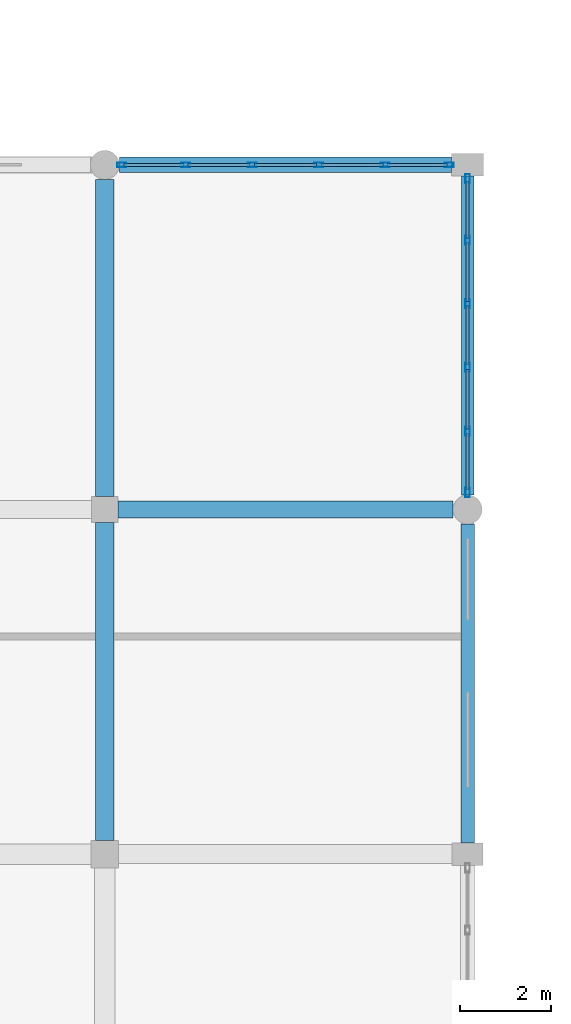
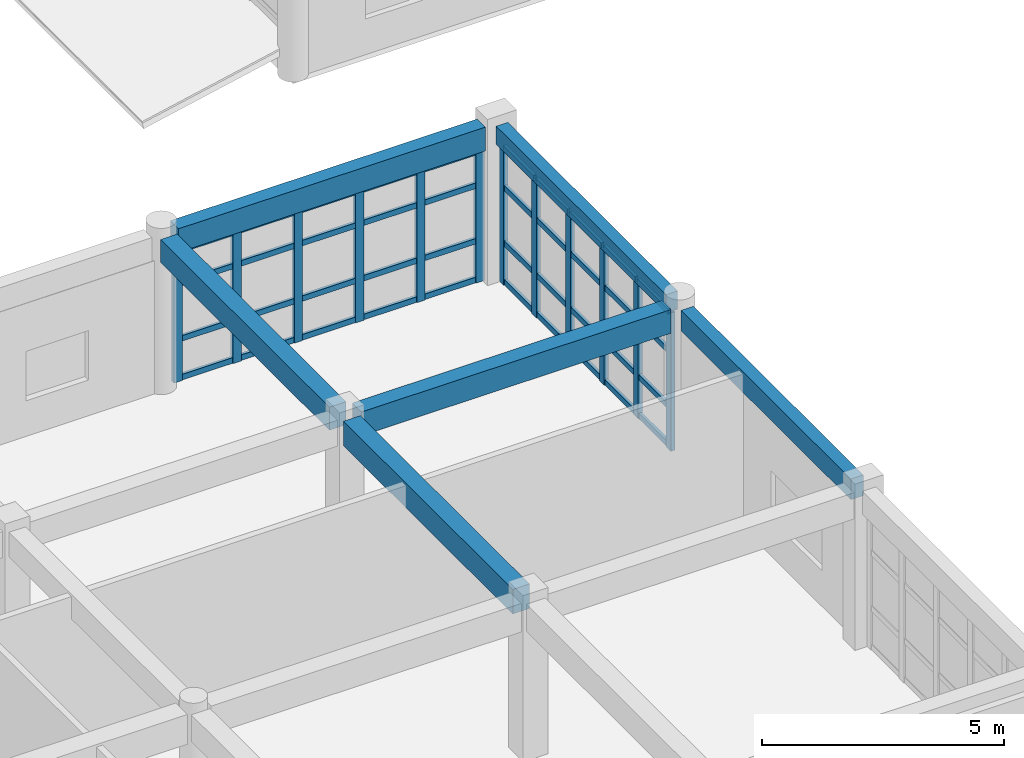
# One storey, part 68 of 121: 52 members, 6 beams, 2 elements without a shape of their own.
"""IFC4 building model written with IfcOpenShell, lengths in metres."""

from ifc_helpers import new_model, si_unit, direction, frame, origin, origin_2d, place, context, subcontext, project, spatial, rectangle, hollow_rectangle, extrude, material, material_profile, profile_set, type_object, element, aggregate, save


model = new_model("IFC4")

# Units and contexts
model_context = context("Model", 3, precision=1e-05, world=origin(), true_north=direction((0.0, 1.0)))
body_context = subcontext(model_context, "Body", "Model", "MODEL_VIEW")
ifc_project = project(units=[si_unit("LENGTHUNIT", "METRE"), si_unit("AREAUNIT", "SQUARE_METRE"), si_unit("VOLUMEUNIT", "CUBIC_METRE"), si_unit("PLANEANGLEUNIT", "RADIAN"), si_unit("MASSUNIT", "GRAM", prefix="KILO")], contexts=[model_context])

# Site, building, storey
site_placement = place(None, origin())
site = spatial("IfcSite", under=ifc_project, at=site_placement, CompositionType="ELEMENT")
building_placement = place(site_placement, origin())
building = spatial("IfcBuilding", under=site, at=building_placement, Name="Kharva Crest Polytechnic", CompositionType="ELEMENT")
storey_placement = place(building_placement, frame((0.0, 0.0, 13.199951171875)))
storey = spatial("IfcBuildingStorey", under=building, at=storey_placement, Name="L03", CompositionType="ELEMENT", Elevation=13.199951171875)

# Beams
ifc_material_1 = material(Name="Concrete C35/45", Category="concrete")
ifc_material_profile_1 = material_profile(ifc_material_1, rectangle(XDim=0.3798828125, YDim=0.60009765625, at=origin_2d()), Name="RECT 380 X 600")
ifc_profile_set_1 = profile_set([ifc_material_profile_1], Name="Concrete C35/45")
beam_type_1 = type_object("IfcBeamType", Name="BM-RC-380X600", PredefinedType="BEAM", material=ifc_profile_set_1)
beam_1_placement = place(storey_placement, frame((145.090087890625, 22.800048828125, 3.66015625), z_axis=(1.0, 0.0, 0.0), x_axis=(0.0, 1.0, 0.0)))
element("IfcBeam", 1, at=beam_1_placement, inside=storey, type_object=beam_type_1, Name="L03 Beam D/19-20", PredefinedType="BEAM", context=body_context, shape_type="SweptSolid", body=[
    extrude(rectangle(XDim=0.3798828125, YDim=0.60009765625, at=origin_2d()), origin(), (0.0, 0.0, 1.0), 7.389892578125),
])
ifc_material_profile_2 = material_profile(ifc_material_1, rectangle(XDim=0.39990234375, YDim=0.580078125, at=origin_2d()), Name="RECT 400 X 580")
ifc_profile_set_2 = profile_set([ifc_material_profile_2], Name="Concrete C35/45")
beam_type_2 = type_object("IfcBeamType", Name="BM-RC-400X580", PredefinedType="BEAM", material=ifc_profile_set_2)
beam_2_placement = place(storey_placement, frame((144.800048828125, 23.090087890625, 3.670166015625), z_axis=(0.0, 1.0, 0.0), x_axis=(-1.0, 0.0, 0.0)))
element("IfcBeam", 2, at=beam_2_placement, inside=storey, type_object=beam_type_2, Name="L03 Girder 19/D-E", PredefinedType="BEAM", context=body_context, shape_type="SweptSolid", body=[
    extrude(rectangle(XDim=0.39990234375, YDim=0.580078125, at=origin_2d()), origin(), (0.0, 0.0, 1.0), 6.989990234375),
])
ifc_material_profile_3 = material_profile(ifc_material_1, rectangle(XDim=0.39990234375, YDim=0.6201171875, at=origin_2d()), Name="RECT 400 X 620")
ifc_profile_set_3 = profile_set([ifc_material_profile_3], Name="Concrete C35/45")
beam_type_3 = type_object("IfcBeamType", Name="BM-RC-400X620", PredefinedType="BEAM", material=ifc_profile_set_3)
beam_3_placement = place(storey_placement, frame((144.800048828125, 15.5, 3.650146484375), z_axis=(0.0, 1.0, 0.0), x_axis=(-1.0, 0.0, 0.0)))
element("IfcBeam", 3, at=beam_3_placement, inside=storey, type_object=beam_type_3, Name="L03 Girder 19/C-D", PredefinedType="BEAM", context=body_context, shape_type="SweptSolid", body=[
    extrude(rectangle(XDim=0.39990234375, YDim=0.6201171875, at=origin_2d()), origin(), (0.0, 0.0, 1.0), 7.010009765625),
])

# Curtain wall, members
ifc_material_2 = material(Name="Tempered insulated glass", Category="glass")
curtain_wall_type = type_object("IfcCurtainWallType", Name="CW-SYS-REFECTORY", PredefinedType="USERDEFINED", material=ifc_material_2)
curtain_wall_1_placement = place(storey_placement, origin())
curtain_wall_1 = element("IfcCurtainWall", 4, at=curtain_wall_1_placement, inside=storey, type_object=curtain_wall_type, Name="L03 Glazed Curtain Wall CW-142", ObjectType="CURTAIN WALL", PredefinedType="USERDEFINED")
ifc_material_3 = material(Name="Steel S355", Category="steel")
ifc_material_profile_4 = material_profile(ifc_material_3, hollow_rectangle(XDim=0.10009765625, YDim=0.199951171875, WallThickness=0.00634765625, at=origin_2d()), Name="RHS 200X100X6.3")
ifc_profile_set_4 = profile_set([ifc_material_profile_4], Name="Steel S355")
member_type_1 = type_object("IfcMemberType", Name="CWM-RHS200X100", PredefinedType="MULLION", material=ifc_profile_set_4)
member_1_placement = place(storey_placement, frame((152.800048828125, 23.175048828125, 0.0), z_axis=(0.0, 0.0, 1.0), x_axis=(-1.0, 0.0, 0.0)))
member_1 = element("IfcMember", 5, at=member_1_placement, type_object=member_type_1, Name="CW-142 mullion 1", PredefinedType="MULLION", context=body_context, shape_type="SweptSolid", body=[
    extrude(hollow_rectangle(XDim=0.10009765625, YDim=0.199951171875, WallThickness=0.00634765625, at=origin_2d()), origin(), (0.0, 0.0, 1.0), 3.5),
])
member_2_placement = place(storey_placement, frame((152.800048828125, 24.529052734375, 0.0), z_axis=(0.0, 0.0, 1.0), x_axis=(-1.0, 0.0, 0.0)))
member_2 = element("IfcMember", 6, at=member_2_placement, type_object=member_type_1, Name="CW-142 mullion 2", PredefinedType="MULLION", context=body_context, shape_type="SweptSolid", body=[
    extrude(hollow_rectangle(XDim=0.10009765625, YDim=0.199951171875, WallThickness=0.00634765625, at=origin_2d()), origin(), (0.0, 0.0, 1.0), 3.5),
])
member_3_placement = place(storey_placement, frame((152.800048828125, 25.93310546875, 0.0), z_axis=(0.0, 0.0, 1.0), x_axis=(-1.0, 0.0, 0.0)))
member_3 = element("IfcMember", 7, at=member_3_placement, type_object=member_type_1, Name="CW-142 mullion 3", PredefinedType="MULLION", context=body_context, shape_type="SweptSolid", body=[
    extrude(hollow_rectangle(XDim=0.10009765625, YDim=0.199951171875, WallThickness=0.00634765625, at=origin_2d()), origin(), (0.0, 0.0, 1.0), 3.5),
])
member_4_placement = place(storey_placement, frame((152.800048828125, 27.3369140625, 0.0), z_axis=(0.0, 0.0, 1.0), x_axis=(-1.0, 0.0, 0.0)))
member_4 = element("IfcMember", 8, at=member_4_placement, type_object=member_type_1, Name="CW-142 mullion 4", PredefinedType="MULLION", context=body_context, shape_type="SweptSolid", body=[
    extrude(hollow_rectangle(XDim=0.10009765625, YDim=0.199951171875, WallThickness=0.00634765625, at=origin_2d()), origin(), (0.0, 0.0, 1.0), 3.5),
])
member_5_placement = place(storey_placement, frame((152.800048828125, 28.740966796875, 0.0), z_axis=(0.0, 0.0, 1.0), x_axis=(-1.0, 0.0, 0.0)))
member_5 = element("IfcMember", 9, at=member_5_placement, type_object=member_type_1, Name="CW-142 mullion 5", PredefinedType="MULLION", context=body_context, shape_type="SweptSolid", body=[
    extrude(hollow_rectangle(XDim=0.10009765625, YDim=0.199951171875, WallThickness=0.00634765625, at=origin_2d()), origin(), (0.0, 0.0, 1.0), 3.5),
])
member_6_placement = place(storey_placement, frame((152.800048828125, 30.094970703125, 0.0), z_axis=(0.0, 0.0, 1.0), x_axis=(-1.0, 0.0, 0.0)))
member_6 = element("IfcMember", 10, at=member_6_placement, type_object=member_type_1, Name="CW-142 mullion 6", PredefinedType="MULLION", context=body_context, shape_type="SweptSolid", body=[
    extrude(hollow_rectangle(XDim=0.10009765625, YDim=0.199951171875, WallThickness=0.00634765625, at=origin_2d()), origin(), (0.0, 0.0, 1.0), 3.5),
])

curtain_wall_2_placement = place(storey_placement, origin())
curtain_wall_2 = element("IfcCurtainWall", 11, at=curtain_wall_2_placement, inside=storey, type_object=curtain_wall_type, Name="L03 Glazed Curtain Wall CW-143", ObjectType="CURTAIN WALL", PredefinedType="USERDEFINED")
member_7_placement = place(storey_placement, frame((152.39501953125, 30.39990234375, 0.0), z_axis=(0.0, 0.0, 1.0), x_axis=(0.0, -1.0, 0.0)))
member_7 = element("IfcMember", 12, at=member_7_placement, type_object=member_type_1, Name="CW-143 mullion 1", PredefinedType="MULLION", context=body_context, shape_type="SweptSolid", body=[
    extrude(hollow_rectangle(XDim=0.10009765625, YDim=0.199951171875, WallThickness=0.00634765625, at=origin_2d()), origin(), (0.0, 0.0, 1.0), 3.360107421875),
])
member_8_placement = place(storey_placement, frame((150.98095703125, 30.39990234375, 0.0), z_axis=(0.0, 0.0, 1.0), x_axis=(0.0, -1.0, 0.0)))
member_8 = element("IfcMember", 13, at=member_8_placement, type_object=member_type_1, Name="CW-143 mullion 2", PredefinedType="MULLION", context=body_context, shape_type="SweptSolid", body=[
    extrude(hollow_rectangle(XDim=0.10009765625, YDim=0.199951171875, WallThickness=0.00634765625, at=origin_2d()), origin(), (0.0, 0.0, 1.0), 3.360107421875),
])
member_9_placement = place(storey_placement, frame((149.51708984375, 30.39990234375, 0.0), z_axis=(0.0, 0.0, 1.0), x_axis=(0.0, -1.0, 0.0)))
member_9 = element("IfcMember", 14, at=member_9_placement, type_object=member_type_1, Name="CW-143 mullion 3", PredefinedType="MULLION", context=body_context, shape_type="SweptSolid", body=[
    extrude(hollow_rectangle(XDim=0.10009765625, YDim=0.199951171875, WallThickness=0.00634765625, at=origin_2d()), origin(), (0.0, 0.0, 1.0), 3.360107421875),
])
member_10_placement = place(storey_placement, frame((148.052978515625, 30.39990234375, 0.0), z_axis=(0.0, 0.0, 1.0), x_axis=(0.0, -1.0, 0.0)))
member_10 = element("IfcMember", 15, at=member_10_placement, type_object=member_type_1, Name="CW-143 mullion 4", PredefinedType="MULLION", context=body_context, shape_type="SweptSolid", body=[
    extrude(hollow_rectangle(XDim=0.10009765625, YDim=0.199951171875, WallThickness=0.00634765625, at=origin_2d()), origin(), (0.0, 0.0, 1.0), 3.360107421875),
])
member_11_placement = place(storey_placement, frame((146.589111328125, 30.39990234375, 0.0), z_axis=(0.0, 0.0, 1.0), x_axis=(0.0, -1.0, 0.0)))
member_11 = element("IfcMember", 16, at=member_11_placement, type_object=member_type_1, Name="CW-143 mullion 5", PredefinedType="MULLION", context=body_context, shape_type="SweptSolid", body=[
    extrude(hollow_rectangle(XDim=0.10009765625, YDim=0.199951171875, WallThickness=0.00634765625, at=origin_2d()), origin(), (0.0, 0.0, 1.0), 3.360107421875),
])
member_12_placement = place(storey_placement, frame((145.175048828125, 30.39990234375, 0.0), z_axis=(0.0, 0.0, 1.0), x_axis=(0.0, -1.0, 0.0)))
member_12 = element("IfcMember", 17, at=member_12_placement, type_object=member_type_1, Name="CW-143 mullion 6", PredefinedType="MULLION", context=body_context, shape_type="SweptSolid", body=[
    extrude(hollow_rectangle(XDim=0.10009765625, YDim=0.199951171875, WallThickness=0.00634765625, at=origin_2d()), origin(), (0.0, 0.0, 1.0), 3.360107421875),
])

# Member
ifc_material_profile_5 = material_profile(ifc_material_3, hollow_rectangle(XDim=0.070068359375, YDim=0.139892578125, WallThickness=0.00390625, at=origin_2d()), Name="RHS 140X70X4.0")
ifc_profile_set_5 = profile_set([ifc_material_profile_5], Name="Steel S355")
member_type_2 = type_object("IfcMemberType", Name="CWT-RHS140X70", PredefinedType="USERDEFINED", material=ifc_profile_set_5)
member_13_placement = place(storey_placement, frame((152.800048828125, 23.22509765625, 0.070068359375), z_axis=(0.0, 1.0, 0.0), x_axis=(-1.0, 0.0, 0.0)))
member_13 = element("IfcMember", 18, at=member_13_placement, type_object=member_type_2, Name="CW-142 transom 1.1", ObjectType="TRANSOM", PredefinedType="USERDEFINED", context=body_context, shape_type="SweptSolid", body=[
    extrude(hollow_rectangle(XDim=0.070068359375, YDim=0.139892578125, WallThickness=0.00390625, at=origin_2d()), origin(), (0.0, 0.0, 1.0), 1.25390625),
])

member_14_placement = place(storey_placement, frame((152.800048828125, 23.22509765625, 1.050048828125), z_axis=(0.0, 1.0, 0.0), x_axis=(-1.0, 0.0, 0.0)))
member_14 = element("IfcMember", 19, at=member_14_placement, type_object=member_type_2, Name="CW-142 transom 1.2", ObjectType="TRANSOM", PredefinedType="USERDEFINED", context=body_context, shape_type="SweptSolid", body=[
    extrude(hollow_rectangle(XDim=0.070068359375, YDim=0.139892578125, WallThickness=0.00390625, at=origin_2d()), origin(), (0.0, 0.0, 1.0), 1.25390625),
])

member_15_placement = place(storey_placement, frame((152.800048828125, 23.22509765625, 2.449951171875), z_axis=(0.0, 1.0, 0.0), x_axis=(-1.0, 0.0, 0.0)))
member_15 = element("IfcMember", 20, at=member_15_placement, type_object=member_type_2, Name="CW-142 transom 1.3", ObjectType="TRANSOM", PredefinedType="USERDEFINED", context=body_context, shape_type="SweptSolid", body=[
    extrude(hollow_rectangle(XDim=0.070068359375, YDim=0.139892578125, WallThickness=0.00390625, at=origin_2d()), origin(), (0.0, 0.0, 1.0), 1.25390625),
])

member_16_placement = place(storey_placement, frame((152.800048828125, 23.22509765625, 3.429931640625), z_axis=(0.0, 1.0, 0.0), x_axis=(-1.0, 0.0, 0.0)))
member_16 = element("IfcMember", 21, at=member_16_placement, type_object=member_type_2, Name="CW-142 transom 1.4", ObjectType="TRANSOM", PredefinedType="USERDEFINED", context=body_context, shape_type="SweptSolid", body=[
    extrude(hollow_rectangle(XDim=0.070068359375, YDim=0.139892578125, WallThickness=0.00390625, at=origin_2d()), origin(), (0.0, 0.0, 1.0), 1.25390625),
])

member_17_placement = place(storey_placement, frame((152.800048828125, 24.5791015625, 0.070068359375), z_axis=(0.0, 1.0, 0.0), x_axis=(-1.0, 0.0, 0.0)))
member_17 = element("IfcMember", 22, at=member_17_placement, type_object=member_type_2, Name="CW-142 transom 2.1", ObjectType="TRANSOM", PredefinedType="USERDEFINED", context=body_context, shape_type="SweptSolid", body=[
    extrude(hollow_rectangle(XDim=0.070068359375, YDim=0.139892578125, WallThickness=0.00390625, at=origin_2d()), origin(), (0.0, 0.0, 1.0), 1.303955078125),
])

member_18_placement = place(storey_placement, frame((152.800048828125, 24.5791015625, 1.050048828125), z_axis=(0.0, 1.0, 0.0), x_axis=(-1.0, 0.0, 0.0)))
member_18 = element("IfcMember", 23, at=member_18_placement, type_object=member_type_2, Name="CW-142 transom 2.2", ObjectType="TRANSOM", PredefinedType="USERDEFINED", context=body_context, shape_type="SweptSolid", body=[
    extrude(hollow_rectangle(XDim=0.070068359375, YDim=0.139892578125, WallThickness=0.00390625, at=origin_2d()), origin(), (0.0, 0.0, 1.0), 1.303955078125),
])

member_19_placement = place(storey_placement, frame((152.800048828125, 24.5791015625, 2.449951171875), z_axis=(0.0, 1.0, 0.0), x_axis=(-1.0, 0.0, 0.0)))
member_19 = element("IfcMember", 24, at=member_19_placement, type_object=member_type_2, Name="CW-142 transom 2.3", ObjectType="TRANSOM", PredefinedType="USERDEFINED", context=body_context, shape_type="SweptSolid", body=[
    extrude(hollow_rectangle(XDim=0.070068359375, YDim=0.139892578125, WallThickness=0.00390625, at=origin_2d()), origin(), (0.0, 0.0, 1.0), 1.303955078125),
])

member_20_placement = place(storey_placement, frame((152.800048828125, 24.5791015625, 3.429931640625), z_axis=(0.0, 1.0, 0.0), x_axis=(-1.0, 0.0, 0.0)))
member_20 = element("IfcMember", 25, at=member_20_placement, type_object=member_type_2, Name="CW-142 transom 2.4", ObjectType="TRANSOM", PredefinedType="USERDEFINED", context=body_context, shape_type="SweptSolid", body=[
    extrude(hollow_rectangle(XDim=0.070068359375, YDim=0.139892578125, WallThickness=0.00390625, at=origin_2d()), origin(), (0.0, 0.0, 1.0), 1.303955078125),
])

member_21_placement = place(storey_placement, frame((152.800048828125, 25.98291015625, 0.070068359375), z_axis=(0.0, 1.0, 0.0), x_axis=(-1.0, 0.0, 0.0)))
member_21 = element("IfcMember", 26, at=member_21_placement, type_object=member_type_2, Name="CW-142 transom 3.1", ObjectType="TRANSOM", PredefinedType="USERDEFINED", context=body_context, shape_type="SweptSolid", body=[
    extrude(hollow_rectangle(XDim=0.070068359375, YDim=0.139892578125, WallThickness=0.00390625, at=origin_2d()), origin(), (0.0, 0.0, 1.0), 1.30419921875),
])

member_22_placement = place(storey_placement, frame((152.800048828125, 25.98291015625, 1.050048828125), z_axis=(0.0, 1.0, 0.0), x_axis=(-1.0, 0.0, 0.0)))
member_22 = element("IfcMember", 27, at=member_22_placement, type_object=member_type_2, Name="CW-142 transom 3.2", ObjectType="TRANSOM", PredefinedType="USERDEFINED", context=body_context, shape_type="SweptSolid", body=[
    extrude(hollow_rectangle(XDim=0.070068359375, YDim=0.139892578125, WallThickness=0.00390625, at=origin_2d()), origin(), (0.0, 0.0, 1.0), 1.30419921875),
])

member_23_placement = place(storey_placement, frame((152.800048828125, 25.98291015625, 2.449951171875), z_axis=(0.0, 1.0, 0.0), x_axis=(-1.0, 0.0, 0.0)))
member_23 = element("IfcMember", 28, at=member_23_placement, type_object=member_type_2, Name="CW-142 transom 3.3", ObjectType="TRANSOM", PredefinedType="USERDEFINED", context=body_context, shape_type="SweptSolid", body=[
    extrude(hollow_rectangle(XDim=0.070068359375, YDim=0.139892578125, WallThickness=0.00390625, at=origin_2d()), origin(), (0.0, 0.0, 1.0), 1.30419921875),
])

member_24_placement = place(storey_placement, frame((152.800048828125, 25.98291015625, 3.429931640625), z_axis=(0.0, 1.0, 0.0), x_axis=(-1.0, 0.0, 0.0)))
member_24 = element("IfcMember", 29, at=member_24_placement, type_object=member_type_2, Name="CW-142 transom 3.4", ObjectType="TRANSOM", PredefinedType="USERDEFINED", context=body_context, shape_type="SweptSolid", body=[
    extrude(hollow_rectangle(XDim=0.070068359375, YDim=0.139892578125, WallThickness=0.00390625, at=origin_2d()), origin(), (0.0, 0.0, 1.0), 1.30419921875),
])

member_25_placement = place(storey_placement, frame((152.800048828125, 27.386962890625, 0.070068359375), z_axis=(0.0, 1.0, 0.0), x_axis=(-1.0, 0.0, 0.0)))
member_25 = element("IfcMember", 30, at=member_25_placement, type_object=member_type_2, Name="CW-142 transom 4.1", ObjectType="TRANSOM", PredefinedType="USERDEFINED", context=body_context, shape_type="SweptSolid", body=[
    extrude(hollow_rectangle(XDim=0.070068359375, YDim=0.139892578125, WallThickness=0.00390625, at=origin_2d()), origin(), (0.0, 0.0, 1.0), 1.303955078125),
])

member_26_placement = place(storey_placement, frame((152.800048828125, 27.386962890625, 1.050048828125), z_axis=(0.0, 1.0, 0.0), x_axis=(-1.0, 0.0, 0.0)))
member_26 = element("IfcMember", 31, at=member_26_placement, type_object=member_type_2, Name="CW-142 transom 4.2", ObjectType="TRANSOM", PredefinedType="USERDEFINED", context=body_context, shape_type="SweptSolid", body=[
    extrude(hollow_rectangle(XDim=0.070068359375, YDim=0.139892578125, WallThickness=0.00390625, at=origin_2d()), origin(), (0.0, 0.0, 1.0), 1.303955078125),
])

member_27_placement = place(storey_placement, frame((152.800048828125, 27.386962890625, 2.449951171875), z_axis=(0.0, 1.0, 0.0), x_axis=(-1.0, 0.0, 0.0)))
member_27 = element("IfcMember", 32, at=member_27_placement, type_object=member_type_2, Name="CW-142 transom 4.3", ObjectType="TRANSOM", PredefinedType="USERDEFINED", context=body_context, shape_type="SweptSolid", body=[
    extrude(hollow_rectangle(XDim=0.070068359375, YDim=0.139892578125, WallThickness=0.00390625, at=origin_2d()), origin(), (0.0, 0.0, 1.0), 1.303955078125),
])

member_28_placement = place(storey_placement, frame((152.800048828125, 27.386962890625, 3.429931640625), z_axis=(0.0, 1.0, 0.0), x_axis=(-1.0, 0.0, 0.0)))
member_28 = element("IfcMember", 33, at=member_28_placement, type_object=member_type_2, Name="CW-142 transom 4.4", ObjectType="TRANSOM", PredefinedType="USERDEFINED", context=body_context, shape_type="SweptSolid", body=[
    extrude(hollow_rectangle(XDim=0.070068359375, YDim=0.139892578125, WallThickness=0.00390625, at=origin_2d()), origin(), (0.0, 0.0, 1.0), 1.303955078125),
])

member_29_placement = place(storey_placement, frame((152.800048828125, 28.791015625, 0.070068359375), z_axis=(0.0, 1.0, 0.0), x_axis=(-1.0, 0.0, 0.0)))
member_29 = element("IfcMember", 34, at=member_29_placement, type_object=member_type_2, Name="CW-142 transom 5.1", ObjectType="TRANSOM", PredefinedType="USERDEFINED", context=body_context, shape_type="SweptSolid", body=[
    extrude(hollow_rectangle(XDim=0.070068359375, YDim=0.139892578125, WallThickness=0.00390625, at=origin_2d()), origin(), (0.0, 0.0, 1.0), 1.25390625),
])

member_30_placement = place(storey_placement, frame((152.800048828125, 28.791015625, 1.050048828125), z_axis=(0.0, 1.0, 0.0), x_axis=(-1.0, 0.0, 0.0)))
member_30 = element("IfcMember", 35, at=member_30_placement, type_object=member_type_2, Name="CW-142 transom 5.2", ObjectType="TRANSOM", PredefinedType="USERDEFINED", context=body_context, shape_type="SweptSolid", body=[
    extrude(hollow_rectangle(XDim=0.070068359375, YDim=0.139892578125, WallThickness=0.00390625, at=origin_2d()), origin(), (0.0, 0.0, 1.0), 1.25390625),
])

member_31_placement = place(storey_placement, frame((152.800048828125, 28.791015625, 2.449951171875), z_axis=(0.0, 1.0, 0.0), x_axis=(-1.0, 0.0, 0.0)))
member_31 = element("IfcMember", 36, at=member_31_placement, type_object=member_type_2, Name="CW-142 transom 5.3", ObjectType="TRANSOM", PredefinedType="USERDEFINED", context=body_context, shape_type="SweptSolid", body=[
    extrude(hollow_rectangle(XDim=0.070068359375, YDim=0.139892578125, WallThickness=0.00390625, at=origin_2d()), origin(), (0.0, 0.0, 1.0), 1.25390625),
])

member_32_placement = place(storey_placement, frame((152.800048828125, 28.791015625, 3.429931640625), z_axis=(0.0, 1.0, 0.0), x_axis=(-1.0, 0.0, 0.0)))
member_32 = element("IfcMember", 37, at=member_32_placement, type_object=member_type_2, Name="CW-142 transom 5.4", ObjectType="TRANSOM", PredefinedType="USERDEFINED", context=body_context, shape_type="SweptSolid", body=[
    extrude(hollow_rectangle(XDim=0.070068359375, YDim=0.139892578125, WallThickness=0.00390625, at=origin_2d()), origin(), (0.0, 0.0, 1.0), 1.25390625),
])

aggregate(curtain_wall_1, [member_1, member_2, member_3, member_4, member_5, member_6, member_13, member_14, member_15, member_16, member_17, member_18, member_19, member_20, member_21, member_22, member_23, member_24, member_25, member_26, member_27, member_28, member_29, member_30, member_31, member_32])

member_33_placement = place(storey_placement, frame((152.344970703125, 30.39990234375, 0.070068359375), z_axis=(-1.0, 0.0, 0.0), x_axis=(0.0, -1.0, 0.0)))
member_33 = element("IfcMember", 38, at=member_33_placement, type_object=member_type_2, Name="CW-143 transom 1.1", ObjectType="TRANSOM", PredefinedType="USERDEFINED", context=body_context, shape_type="SweptSolid", body=[
    extrude(hollow_rectangle(XDim=0.070068359375, YDim=0.139892578125, WallThickness=0.00390625, at=origin_2d()), origin(), (0.0, 0.0, 1.0), 1.31396484375),
])

member_34_placement = place(storey_placement, frame((152.344970703125, 30.39990234375, 1.050048828125), z_axis=(-1.0, 0.0, 0.0), x_axis=(0.0, -1.0, 0.0)))
member_34 = element("IfcMember", 39, at=member_34_placement, type_object=member_type_2, Name="CW-143 transom 1.2", ObjectType="TRANSOM", PredefinedType="USERDEFINED", context=body_context, shape_type="SweptSolid", body=[
    extrude(hollow_rectangle(XDim=0.070068359375, YDim=0.139892578125, WallThickness=0.00390625, at=origin_2d()), origin(), (0.0, 0.0, 1.0), 1.31396484375),
])

member_35_placement = place(storey_placement, frame((152.344970703125, 30.39990234375, 2.449951171875), z_axis=(-1.0, 0.0, 0.0), x_axis=(0.0, -1.0, 0.0)))
member_35 = element("IfcMember", 40, at=member_35_placement, type_object=member_type_2, Name="CW-143 transom 1.3", ObjectType="TRANSOM", PredefinedType="USERDEFINED", context=body_context, shape_type="SweptSolid", body=[
    extrude(hollow_rectangle(XDim=0.070068359375, YDim=0.139892578125, WallThickness=0.00390625, at=origin_2d()), origin(), (0.0, 0.0, 1.0), 1.31396484375),
])

member_36_placement = place(storey_placement, frame((152.344970703125, 30.39990234375, 3.2900390625), z_axis=(-1.0, 0.0, 0.0), x_axis=(0.0, -1.0, 0.0)))
member_36 = element("IfcMember", 41, at=member_36_placement, type_object=member_type_2, Name="CW-143 transom 1.4", ObjectType="TRANSOM", PredefinedType="USERDEFINED", context=body_context, shape_type="SweptSolid", body=[
    extrude(hollow_rectangle(XDim=0.070068359375, YDim=0.139892578125, WallThickness=0.00390625, at=origin_2d()), origin(), (0.0, 0.0, 1.0), 1.31396484375),
])

member_37_placement = place(storey_placement, frame((150.930908203125, 30.39990234375, 0.070068359375), z_axis=(-1.0, 0.0, 0.0), x_axis=(0.0, -1.0, 0.0)))
member_37 = element("IfcMember", 42, at=member_37_placement, type_object=member_type_2, Name="CW-143 transom 2.1", ObjectType="TRANSOM", PredefinedType="USERDEFINED", context=body_context, shape_type="SweptSolid", body=[
    extrude(hollow_rectangle(XDim=0.070068359375, YDim=0.139892578125, WallThickness=0.00390625, at=origin_2d()), origin(), (0.0, 0.0, 1.0), 1.364013671875),
])

member_38_placement = place(storey_placement, frame((150.930908203125, 30.39990234375, 1.050048828125), z_axis=(-1.0, 0.0, 0.0), x_axis=(0.0, -1.0, 0.0)))
member_38 = element("IfcMember", 43, at=member_38_placement, type_object=member_type_2, Name="CW-143 transom 2.2", ObjectType="TRANSOM", PredefinedType="USERDEFINED", context=body_context, shape_type="SweptSolid", body=[
    extrude(hollow_rectangle(XDim=0.070068359375, YDim=0.139892578125, WallThickness=0.00390625, at=origin_2d()), origin(), (0.0, 0.0, 1.0), 1.364013671875),
])

member_39_placement = place(storey_placement, frame((150.930908203125, 30.39990234375, 2.449951171875), z_axis=(-1.0, 0.0, 0.0), x_axis=(0.0, -1.0, 0.0)))
member_39 = element("IfcMember", 44, at=member_39_placement, type_object=member_type_2, Name="CW-143 transom 2.3", ObjectType="TRANSOM", PredefinedType="USERDEFINED", context=body_context, shape_type="SweptSolid", body=[
    extrude(hollow_rectangle(XDim=0.070068359375, YDim=0.139892578125, WallThickness=0.00390625, at=origin_2d()), origin(), (0.0, 0.0, 1.0), 1.364013671875),
])

member_40_placement = place(storey_placement, frame((150.930908203125, 30.39990234375, 3.2900390625), z_axis=(-1.0, 0.0, 0.0), x_axis=(0.0, -1.0, 0.0)))
member_40 = element("IfcMember", 45, at=member_40_placement, type_object=member_type_2, Name="CW-143 transom 2.4", ObjectType="TRANSOM", PredefinedType="USERDEFINED", context=body_context, shape_type="SweptSolid", body=[
    extrude(hollow_rectangle(XDim=0.070068359375, YDim=0.139892578125, WallThickness=0.00390625, at=origin_2d()), origin(), (0.0, 0.0, 1.0), 1.364013671875),
])

member_41_placement = place(storey_placement, frame((149.467041015625, 30.39990234375, 0.070068359375), z_axis=(-1.0, 0.0, 0.0), x_axis=(0.0, -1.0, 0.0)))
member_41 = element("IfcMember", 46, at=member_41_placement, type_object=member_type_2, Name="CW-143 transom 3.1", ObjectType="TRANSOM", PredefinedType="USERDEFINED", context=body_context, shape_type="SweptSolid", body=[
    extrude(hollow_rectangle(XDim=0.070068359375, YDim=0.139892578125, WallThickness=0.00390625, at=origin_2d()), origin(), (0.0, 0.0, 1.0), 1.364013671875),
])

member_42_placement = place(storey_placement, frame((149.467041015625, 30.39990234375, 1.050048828125), z_axis=(-1.0, 0.0, 0.0), x_axis=(0.0, -1.0, 0.0)))
member_42 = element("IfcMember", 47, at=member_42_placement, type_object=member_type_2, Name="CW-143 transom 3.2", ObjectType="TRANSOM", PredefinedType="USERDEFINED", context=body_context, shape_type="SweptSolid", body=[
    extrude(hollow_rectangle(XDim=0.070068359375, YDim=0.139892578125, WallThickness=0.00390625, at=origin_2d()), origin(), (0.0, 0.0, 1.0), 1.364013671875),
])

member_43_placement = place(storey_placement, frame((149.467041015625, 30.39990234375, 2.449951171875), z_axis=(-1.0, 0.0, 0.0), x_axis=(0.0, -1.0, 0.0)))
member_43 = element("IfcMember", 48, at=member_43_placement, type_object=member_type_2, Name="CW-143 transom 3.3", ObjectType="TRANSOM", PredefinedType="USERDEFINED", context=body_context, shape_type="SweptSolid", body=[
    extrude(hollow_rectangle(XDim=0.070068359375, YDim=0.139892578125, WallThickness=0.00390625, at=origin_2d()), origin(), (0.0, 0.0, 1.0), 1.364013671875),
])

member_44_placement = place(storey_placement, frame((149.467041015625, 30.39990234375, 3.2900390625), z_axis=(-1.0, 0.0, 0.0), x_axis=(0.0, -1.0, 0.0)))
member_44 = element("IfcMember", 49, at=member_44_placement, type_object=member_type_2, Name="CW-143 transom 3.4", ObjectType="TRANSOM", PredefinedType="USERDEFINED", context=body_context, shape_type="SweptSolid", body=[
    extrude(hollow_rectangle(XDim=0.070068359375, YDim=0.139892578125, WallThickness=0.00390625, at=origin_2d()), origin(), (0.0, 0.0, 1.0), 1.364013671875),
])

member_45_placement = place(storey_placement, frame((148.0029296875, 30.39990234375, 0.070068359375), z_axis=(-1.0, 0.0, 0.0), x_axis=(0.0, -1.0, 0.0)))
member_45 = element("IfcMember", 50, at=member_45_placement, type_object=member_type_2, Name="CW-143 transom 4.1", ObjectType="TRANSOM", PredefinedType="USERDEFINED", context=body_context, shape_type="SweptSolid", body=[
    extrude(hollow_rectangle(XDim=0.070068359375, YDim=0.139892578125, WallThickness=0.00390625, at=origin_2d()), origin(), (0.0, 0.0, 1.0), 1.364013671875),
])

member_46_placement = place(storey_placement, frame((148.0029296875, 30.39990234375, 1.050048828125), z_axis=(-1.0, 0.0, 0.0), x_axis=(0.0, -1.0, 0.0)))
member_46 = element("IfcMember", 51, at=member_46_placement, type_object=member_type_2, Name="CW-143 transom 4.2", ObjectType="TRANSOM", PredefinedType="USERDEFINED", context=body_context, shape_type="SweptSolid", body=[
    extrude(hollow_rectangle(XDim=0.070068359375, YDim=0.139892578125, WallThickness=0.00390625, at=origin_2d()), origin(), (0.0, 0.0, 1.0), 1.364013671875),
])

member_47_placement = place(storey_placement, frame((148.0029296875, 30.39990234375, 2.449951171875), z_axis=(-1.0, 0.0, 0.0), x_axis=(0.0, -1.0, 0.0)))
member_47 = element("IfcMember", 52, at=member_47_placement, type_object=member_type_2, Name="CW-143 transom 4.3", ObjectType="TRANSOM", PredefinedType="USERDEFINED", context=body_context, shape_type="SweptSolid", body=[
    extrude(hollow_rectangle(XDim=0.070068359375, YDim=0.139892578125, WallThickness=0.00390625, at=origin_2d()), origin(), (0.0, 0.0, 1.0), 1.364013671875),
])

member_48_placement = place(storey_placement, frame((148.0029296875, 30.39990234375, 3.2900390625), z_axis=(-1.0, 0.0, 0.0), x_axis=(0.0, -1.0, 0.0)))
member_48 = element("IfcMember", 53, at=member_48_placement, type_object=member_type_2, Name="CW-143 transom 4.4", ObjectType="TRANSOM", PredefinedType="USERDEFINED", context=body_context, shape_type="SweptSolid", body=[
    extrude(hollow_rectangle(XDim=0.070068359375, YDim=0.139892578125, WallThickness=0.00390625, at=origin_2d()), origin(), (0.0, 0.0, 1.0), 1.364013671875),
])

member_49_placement = place(storey_placement, frame((146.5390625, 30.39990234375, 0.070068359375), z_axis=(-1.0, 0.0, 0.0), x_axis=(0.0, -1.0, 0.0)))
member_49 = element("IfcMember", 54, at=member_49_placement, type_object=member_type_2, Name="CW-143 transom 5.1", ObjectType="TRANSOM", PredefinedType="USERDEFINED", context=body_context, shape_type="SweptSolid", body=[
    extrude(hollow_rectangle(XDim=0.070068359375, YDim=0.139892578125, WallThickness=0.00390625, at=origin_2d()), origin(), (0.0, 0.0, 1.0), 1.31396484375),
])

member_50_placement = place(storey_placement, frame((146.5390625, 30.39990234375, 1.050048828125), z_axis=(-1.0, 0.0, 0.0), x_axis=(0.0, -1.0, 0.0)))
member_50 = element("IfcMember", 55, at=member_50_placement, type_object=member_type_2, Name="CW-143 transom 5.2", ObjectType="TRANSOM", PredefinedType="USERDEFINED", context=body_context, shape_type="SweptSolid", body=[
    extrude(hollow_rectangle(XDim=0.070068359375, YDim=0.139892578125, WallThickness=0.00390625, at=origin_2d()), origin(), (0.0, 0.0, 1.0), 1.31396484375),
])

member_51_placement = place(storey_placement, frame((146.5390625, 30.39990234375, 2.449951171875), z_axis=(-1.0, 0.0, 0.0), x_axis=(0.0, -1.0, 0.0)))
member_51 = element("IfcMember", 56, at=member_51_placement, type_object=member_type_2, Name="CW-143 transom 5.3", ObjectType="TRANSOM", PredefinedType="USERDEFINED", context=body_context, shape_type="SweptSolid", body=[
    extrude(hollow_rectangle(XDim=0.070068359375, YDim=0.139892578125, WallThickness=0.00390625, at=origin_2d()), origin(), (0.0, 0.0, 1.0), 1.31396484375),
])

member_52_placement = place(storey_placement, frame((146.5390625, 30.39990234375, 3.2900390625), z_axis=(-1.0, 0.0, 0.0), x_axis=(0.0, -1.0, 0.0)))
member_52 = element("IfcMember", 57, at=member_52_placement, type_object=member_type_2, Name="CW-143 transom 5.4", ObjectType="TRANSOM", PredefinedType="USERDEFINED", context=body_context, shape_type="SweptSolid", body=[
    extrude(hollow_rectangle(XDim=0.070068359375, YDim=0.139892578125, WallThickness=0.00390625, at=origin_2d()), origin(), (0.0, 0.0, 1.0), 1.31396484375),
])

aggregate(curtain_wall_2, [member_7, member_8, member_9, member_10, member_11, member_12, member_33, member_34, member_35, member_36, member_37, member_38, member_39, member_40, member_41, member_42, member_43, member_44, member_45, member_46, member_47, member_48, member_49, member_50, member_51, member_52])

# Beams
ifc_material_profile_6 = material_profile(ifc_material_1, rectangle(XDim=0.280029296875, YDim=0.4599609375, at=origin_2d()), Name="RECT 280 X 460")
ifc_profile_set_6 = profile_set([ifc_material_profile_6], Name="Concrete C35/45")
beam_type_4 = type_object("IfcBeamType", Name="SP-RC-280X460", PredefinedType="SPANDREL", material=ifc_profile_set_6)
beam_4_placement = place(storey_placement, frame((152.800048828125, 23.1201171875, 3.72998046875), z_axis=(0.0, 1.0, 0.0), x_axis=(-1.0, 0.0, 0.0)))
element("IfcBeam", 58, at=beam_4_placement, inside=storey, type_object=beam_type_4, Name="L03 Girder 20/D-E", PredefinedType="SPANDREL", context=body_context, shape_type="SweptSolid", body=[
    extrude(rectangle(XDim=0.280029296875, YDim=0.4599609375, at=origin_2d()), origin(), (0.0, 0.0, 1.0), 7.02978515625),
])
ifc_material_profile_7 = material_profile(ifc_material_1, rectangle(XDim=0.300048828125, YDim=0.52001953125, at=origin_2d()), Name="RECT 300 X 520")
ifc_profile_set_7 = profile_set([ifc_material_profile_7], Name="Concrete C35/45")
beam_type_5 = type_object("IfcBeamType", Name="SP-RC-300X520", PredefinedType="SPANDREL", material=ifc_profile_set_7)
beam_5_placement = place(storey_placement, frame((152.800048828125, 15.449951171875, 3.699951171875), z_axis=(0.0, 1.0, 0.0), x_axis=(-1.0, 0.0, 0.0)))
element("IfcBeam", 59, at=beam_5_placement, inside=storey, type_object=beam_type_5, Name="L03 Girder 20/C-D", PredefinedType="SPANDREL", context=body_context, shape_type="SweptSolid", body=[
    extrude(rectangle(XDim=0.300048828125, YDim=0.52001953125, at=origin_2d()), origin(), (0.0, 0.0, 1.0), 7.030029296875),
])
ifc_material_profile_8 = material_profile(ifc_material_1, rectangle(XDim=0.340087890625, YDim=0.60009765625, at=origin_2d()), Name="RECT 340 X 600")
ifc_profile_set_8 = profile_set([ifc_material_profile_8], Name="Concrete C35/45")
beam_type_6 = type_object("IfcBeamType", Name="SP-RC-340X600", PredefinedType="SPANDREL", material=ifc_profile_set_8)
beam_6_placement = place(storey_placement, frame((145.1201171875, 30.39990234375, 3.66015625), z_axis=(1.0, 0.0, 0.0), x_axis=(0.0, 1.0, 0.0)))
element("IfcBeam", 60, at=beam_6_placement, inside=storey, type_object=beam_type_6, Name="L03 Beam E/19-20", PredefinedType="SPANDREL", context=body_context, shape_type="SweptSolid", body=[
    extrude(rectangle(XDim=0.340087890625, YDim=0.60009765625, at=origin_2d()), origin(), (0.0, 0.0, 1.0), 7.329833984375),
])

save(model, "model.ifc")
